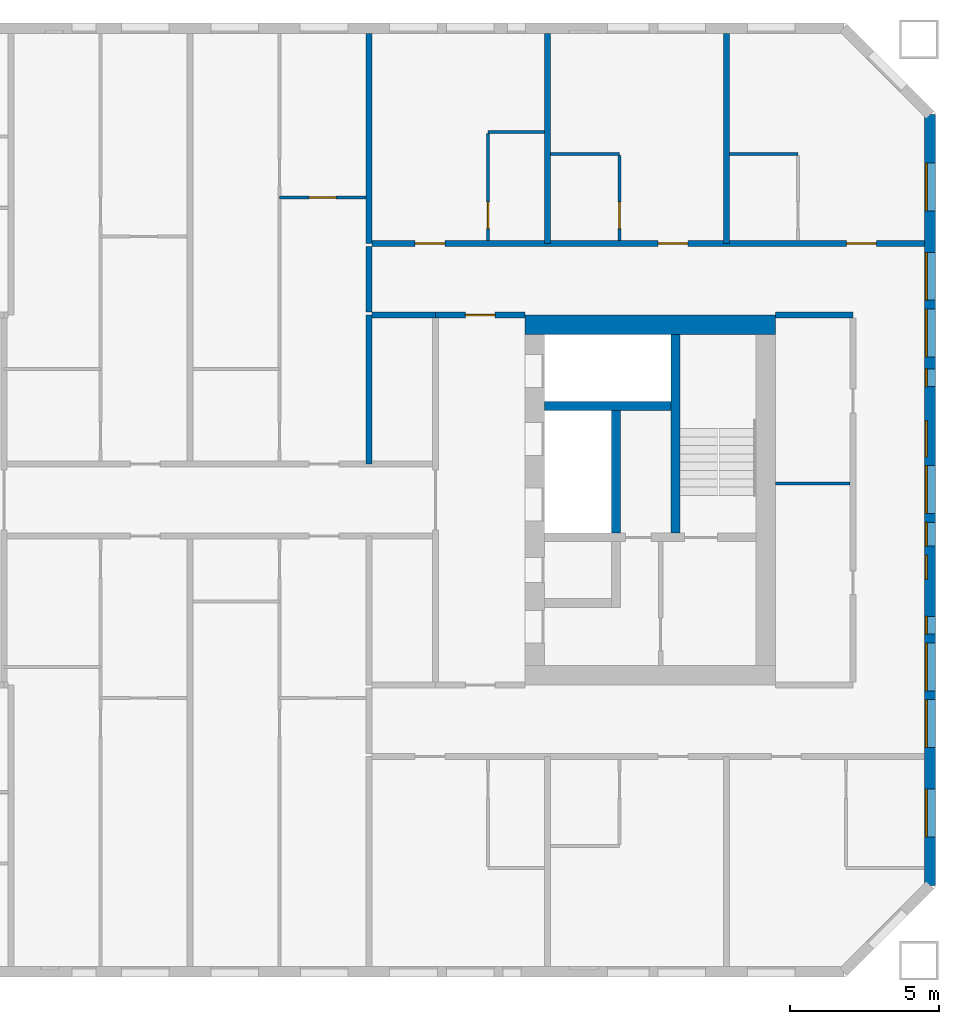
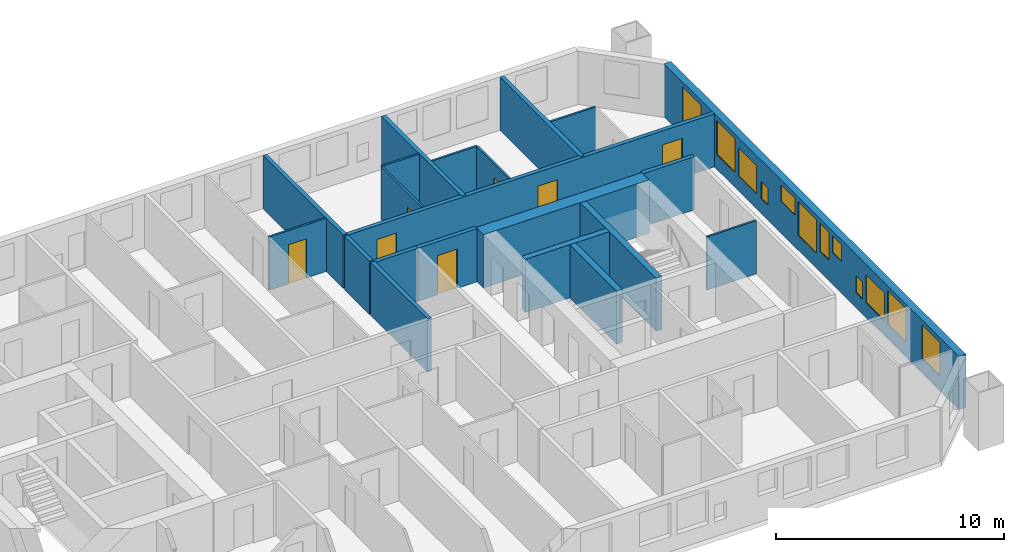
# One storey, part 14 of 17: 21 walls, 12 windows, 7 doors, 19 openings.
"""IFC4 building model written with IfcOpenShell, lengths in metres."""

from ifc_helpers import new_model, si_unit, direction, frame, frame_2d, origin, place, context, subcontext, project, spatial, rectangle, extrude, material, layer, layer_set, type_object, element, fill, save


model = new_model("IFC4")

# Units and contexts
model_context = context("Model", 3, precision=1e-05, world=origin(), true_north=direction((0.0, 1.0)))
body_context = subcontext(model_context, "Body", "Model", "MODEL_VIEW")
ifc_project = project(units=[si_unit("LENGTHUNIT", "METRE"), si_unit("AREAUNIT", "SQUARE_METRE"), si_unit("VOLUMEUNIT", "CUBIC_METRE"), si_unit("PLANEANGLEUNIT", "RADIAN"), si_unit("MASSUNIT", "GRAM", prefix="KILO")], contexts=[model_context])

# Site, building, storey
site_placement = place(None, origin())
site = spatial("IfcSite", under=ifc_project, at=site_placement, CompositionType="ELEMENT")
building_placement = place(site_placement, origin())
building = spatial("IfcBuilding", under=site, at=building_placement, Name="Tuart Gate Housing", CompositionType="ELEMENT")
storey_placement = place(building_placement, frame((0.0, 0.0, 105.699951171875)))
storey = spatial("IfcBuildingStorey", under=building, at=storey_placement, Name="L29", CompositionType="ELEMENT", Elevation=105.699951171875)

# Wall, openings, windows
ifc_material_1 = material(Name="Brick", Category="masonry")
ifc_layer_1 = layer(ifc_material_1, 0.360107421875)
ifc_layer_set_1 = layer_set([ifc_layer_1], Name="Brick pier and spandrel wall 360")
wall_type_1 = type_object("IfcWallType", Name="Brick pier and spandrel wall 360", PredefinedType="STANDARD", material=ifc_layer_set_1)
wall_1_placement = place(storey_placement, frame((173.820068359375, 57.07470703125, 0.0), z_axis=(0.0, 0.0, 1.0), x_axis=(0.0, 1.0, 0.0)))
wall_1 = element("IfcWall", 1, at=wall_1_placement, inside=storey, type_object=wall_type_1, Name="External wall B-E L29", PredefinedType="STANDARD", context=body_context, shape_type="SweptSolid", body=[
    extrude(rectangle(XDim=25.850830078125, YDim=0.360107421875, at=frame_2d((12.92529296875, 0.0))), origin(), (0.0, 0.0, 1.0), 2.85009765625),
])
opening_1_placement = place(wall_1_placement, frame((1.62548828125, 0.0, 0.800048828125)))
opening_1 = element("IfcOpeningElement", 2, at=opening_1_placement, cuts=wall_1, Name="Opening W1", PredefinedType="OPENING", context=body_context, shape_type="SweptSolid", body=[
    extrude(rectangle(XDim=1.60009765625, YDim=1.800048828125, at=frame_2d((0.800048828125, 0.89990234375))), frame((0.0, 0.18994140625, 0.0), z_axis=(0.0, -1.0, 0.0), x_axis=(1.0, 0.0, 0.0)), (0.0, 0.0, 1.0), 0.380126953125),
])
opening_2_placement = place(wall_1_placement, frame((4.62548828125, 0.0, 0.800048828125)))
opening_2 = element("IfcOpeningElement", 3, at=opening_2_placement, cuts=wall_1, Name="Opening W1", PredefinedType="OPENING", context=body_context, shape_type="SweptSolid", body=[
    extrude(rectangle(XDim=1.60009765625, YDim=1.800048828125, at=frame_2d((0.800048828125, 0.89990234375))), frame((0.0, 0.18994140625, 0.0), z_axis=(0.0, -1.0, 0.0), x_axis=(1.0, 0.0, 0.0)), (0.0, 0.0, 1.0), 0.380126953125),
])
opening_3_placement = place(wall_1_placement, frame((6.525390625, 0.0, 0.800048828125)))
opening_3 = element("IfcOpeningElement", 4, at=opening_3_placement, cuts=wall_1, Name="Opening W1F", PredefinedType="OPENING", context=body_context, shape_type="SweptSolid", body=[
    extrude(rectangle(XDim=1.60009765625, YDim=1.5, at=frame_2d((0.800048828125, 0.75))), frame((0.0, 0.18994140625, 0.0), z_axis=(0.0, -1.0, 0.0), x_axis=(1.0, 0.0, 0.0)), (0.0, 0.0, 1.0), 0.380126953125),
])
opening_4_placement = place(wall_1_placement, frame((8.42529296875, 0.0, 0.800048828125)))
opening_4 = element("IfcOpeningElement", 5, at=opening_4_placement, cuts=wall_1, Name="Opening W1W", PredefinedType="OPENING", context=body_context, shape_type="SweptSolid", body=[
    extrude(rectangle(XDim=0.60009765625, YDim=0.89990234375, at=frame_2d((0.300048828125, 0.449951171875))), frame((0.0, 0.18994140625, 0.0), z_axis=(0.0, -1.0, 0.0), x_axis=(1.0, 0.0, 0.0)), (0.0, 0.0, 1.0), 0.380126953125),
])
opening_5_placement = place(wall_1_placement, frame((10.275390625, 0.0, 1.699951171875)))
opening_5 = element("IfcOpeningElement", 6, at=opening_5_placement, cuts=wall_1, Name="Opening W1V", PredefinedType="OPENING", context=body_context, shape_type="SweptSolid", body=[
    extrude(rectangle(XDim=0.800048828125, YDim=0.89990234375, at=frame_2d((0.39990234375, 0.449951171875))), frame((0.0, 0.18994140625, 0.0), z_axis=(0.0, -1.0, 0.0), x_axis=(1.0, 0.0, 0.0)), (0.0, 0.0, 1.0), 0.380126953125),
])
opening_6_placement = place(wall_1_placement, frame((11.37548828125, 0.0, 1.10009765625)))
opening_6 = element("IfcOpeningElement", 7, at=opening_6_placement, cuts=wall_1, Name="Opening W1J", PredefinedType="OPENING", context=body_context, shape_type="SweptSolid", body=[
    extrude(rectangle(XDim=0.800048828125, YDim=1.5, at=frame_2d((0.39990234375, 0.75))), frame((0.0, 0.18994140625, 0.0), z_axis=(0.0, -1.0, 0.0), x_axis=(1.0, 0.0, 0.0)), (0.0, 0.0, 1.0), 0.380126953125),
])
opening_7_placement = place(wall_1_placement, frame((19.62548828125, 0.0, 0.800048828125)))
opening_7 = element("IfcOpeningElement", 8, at=opening_7_placement, cuts=wall_1, Name="Opening W1", PredefinedType="OPENING", context=body_context, shape_type="SweptSolid", body=[
    extrude(rectangle(XDim=1.60009765625, YDim=1.800048828125, at=frame_2d((0.800048828125, 0.89990234375))), frame((0.0, 0.18994140625, 0.0), z_axis=(0.0, -1.0, 0.0), x_axis=(1.0, 0.0, 0.0)), (0.0, 0.0, 1.0), 0.380126953125),
])
opening_8_placement = place(wall_1_placement, frame((22.62548828125, 0.0, 0.800048828125)))
opening_8 = element("IfcOpeningElement", 9, at=opening_8_placement, cuts=wall_1, Name="Opening W1", PredefinedType="OPENING", context=body_context, shape_type="SweptSolid", body=[
    extrude(rectangle(XDim=1.60009765625, YDim=1.800048828125, at=frame_2d((0.800048828125, 0.89990234375))), frame((0.0, 0.18994140625, 0.0), z_axis=(0.0, -1.0, 0.0), x_axis=(1.0, 0.0, 0.0)), (0.0, 0.0, 1.0), 0.380126953125),
])
opening_9_placement = place(wall_1_placement, frame((12.475341796875, 0.0, 0.800048828125)))
opening_9 = element("IfcOpeningElement", 10, at=opening_9_placement, cuts=wall_1, Name="Opening W1", PredefinedType="OPENING", context=body_context, shape_type="SweptSolid", body=[
    extrude(rectangle(XDim=1.60009765625, YDim=1.800048828125, at=frame_2d((0.800048828125, 0.89990234375))), frame((0.0, 0.18994140625, 0.0), z_axis=(0.0, -1.0, 0.0), x_axis=(1.0, 0.0, 0.0)), (0.0, 0.0, 1.0), 0.380126953125),
])
opening_10_placement = place(wall_1_placement, frame((14.37548828125, 0.0, 1.699951171875)))
opening_10 = element("IfcOpeningElement", 11, at=opening_10_placement, cuts=wall_1, Name="Opening W1T", PredefinedType="OPENING", context=body_context, shape_type="SweptSolid", body=[
    extrude(rectangle(XDim=1.199951171875, YDim=0.89990234375, at=frame_2d((0.60009765625, 0.449951171875))), frame((0.0, 0.18994140625, 0.0), z_axis=(0.0, -1.0, 0.0), x_axis=(1.0, 0.0, 0.0)), (0.0, 0.0, 1.0), 0.380126953125),
])
opening_11_placement = place(wall_1_placement, frame((16.725341796875, 0.0, 0.800048828125)))
opening_11 = element("IfcOpeningElement", 12, at=opening_11_placement, cuts=wall_1, Name="Opening W1W", PredefinedType="OPENING", context=body_context, shape_type="SweptSolid", body=[
    extrude(rectangle(XDim=0.60009765625, YDim=0.89990234375, at=frame_2d((0.300048828125, 0.449951171875))), frame((0.0, 0.18994140625, 0.0), z_axis=(0.0, -1.0, 0.0), x_axis=(1.0, 0.0, 0.0)), (0.0, 0.0, 1.0), 0.380126953125),
])
opening_12_placement = place(wall_1_placement, frame((17.725341796875, 0.0, 0.800048828125)))
opening_12 = element("IfcOpeningElement", 13, at=opening_12_placement, cuts=wall_1, Name="Opening W1F", PredefinedType="OPENING", context=body_context, shape_type="SweptSolid", body=[
    extrude(rectangle(XDim=1.60009765625, YDim=1.5, at=frame_2d((0.800048828125, 0.75))), frame((0.0, 0.18994140625, 0.0), z_axis=(0.0, -1.0, 0.0), x_axis=(1.0, 0.0, 0.0)), (0.0, 0.0, 1.0), 0.380126953125),
])
ifc_material_2 = material(Name="Aluminium frame with clear glass", Category="aluminium")
window_type_1 = type_object("IfcWindowType", Name="Punched window 1200 x 900", PartitioningType="SINGLE_PANEL", PredefinedType="WINDOW", material=ifc_material_2)
window_1_placement = place(opening_10_placement, origin())
window_1 = element("IfcWindow", 14, at=window_1_placement, inside=storey, type_object=window_type_1, Name="Window W1T", OverallHeight=0.89990234375, OverallWidth=1.199951171875, PartitioningType="SINGLE_PANEL", PredefinedType="WINDOW", context=body_context, shape_type="SweptSolid", body=[
    extrude(rectangle(XDim=1.199951171875, YDim=0.89990234375, at=frame_2d((0.60009765625, 0.449951171875))), frame((0.0, 0.150146484375, 0.0), z_axis=(0.0, -1.0, 0.0), x_axis=(1.0, 0.0, 0.0)), (0.0, 0.0, 1.0), 0.06005859375),
])
fill(opening_10, window_1)
ifc_material_3 = material(Name="Aluminium frame with clear glass", Category="aluminium")
window_type_2 = type_object("IfcWindowType", Name="Punched window 1600 x 1500", PartitioningType="SINGLE_PANEL", PredefinedType="WINDOW", material=ifc_material_3)
window_2_placement = place(opening_3_placement, origin())
window_2 = element("IfcWindow", 15, at=window_2_placement, inside=storey, type_object=window_type_2, Name="Window W1F", OverallHeight=1.5, OverallWidth=1.60009765625, PartitioningType="SINGLE_PANEL", PredefinedType="WINDOW", context=body_context, shape_type="SweptSolid", body=[
    extrude(rectangle(XDim=1.60009765625, YDim=1.5, at=frame_2d((0.800048828125, 0.75))), frame((0.0, 0.150146484375, 0.0), z_axis=(0.0, -1.0, 0.0), x_axis=(1.0, 0.0, 0.0)), (0.0, 0.0, 1.0), 0.06005859375),
])
fill(opening_3, window_2)
window_3_placement = place(opening_12_placement, origin())
window_3 = element("IfcWindow", 16, at=window_3_placement, inside=storey, type_object=window_type_2, Name="Window W1F", OverallHeight=1.5, OverallWidth=1.60009765625, PartitioningType="SINGLE_PANEL", PredefinedType="WINDOW", context=body_context, shape_type="SweptSolid", body=[
    extrude(rectangle(XDim=1.60009765625, YDim=1.5, at=frame_2d((0.800048828125, 0.75))), frame((0.0, 0.150146484375, 0.0), z_axis=(0.0, -1.0, 0.0), x_axis=(1.0, 0.0, 0.0)), (0.0, 0.0, 1.0), 0.06005859375),
])
fill(opening_12, window_3)
ifc_material_4 = material(Name="Aluminium frame with clear glass", Category="aluminium")
window_type_3 = type_object("IfcWindowType", Name="Punched window 1600 x 1800", PartitioningType="SINGLE_PANEL", PredefinedType="WINDOW", material=ifc_material_4)
window_4_placement = place(opening_1_placement, origin())
window_4 = element("IfcWindow", 17, at=window_4_placement, inside=storey, type_object=window_type_3, Name="Window W1", OverallHeight=1.800048828125, OverallWidth=1.60009765625, PartitioningType="SINGLE_PANEL", PredefinedType="WINDOW", context=body_context, shape_type="SweptSolid", body=[
    extrude(rectangle(XDim=1.60009765625, YDim=1.800048828125, at=frame_2d((0.800048828125, 0.89990234375))), frame((0.0, 0.150146484375, 0.0), z_axis=(0.0, -1.0, 0.0), x_axis=(1.0, 0.0, 0.0)), (0.0, 0.0, 1.0), 0.06005859375),
])
fill(opening_1, window_4)
window_5_placement = place(opening_2_placement, origin())
window_5 = element("IfcWindow", 18, at=window_5_placement, inside=storey, type_object=window_type_3, Name="Window W1", OverallHeight=1.800048828125, OverallWidth=1.60009765625, PartitioningType="SINGLE_PANEL", PredefinedType="WINDOW", context=body_context, shape_type="SweptSolid", body=[
    extrude(rectangle(XDim=1.60009765625, YDim=1.800048828125, at=frame_2d((0.800048828125, 0.89990234375))), frame((0.0, 0.150146484375, 0.0), z_axis=(0.0, -1.0, 0.0), x_axis=(1.0, 0.0, 0.0)), (0.0, 0.0, 1.0), 0.06005859375),
])
fill(opening_2, window_5)
window_6_placement = place(opening_7_placement, origin())
window_6 = element("IfcWindow", 19, at=window_6_placement, inside=storey, type_object=window_type_3, Name="Window W1", OverallHeight=1.800048828125, OverallWidth=1.60009765625, PartitioningType="SINGLE_PANEL", PredefinedType="WINDOW", context=body_context, shape_type="SweptSolid", body=[
    extrude(rectangle(XDim=1.60009765625, YDim=1.800048828125, at=frame_2d((0.800048828125, 0.89990234375))), frame((0.0, 0.150146484375, 0.0), z_axis=(0.0, -1.0, 0.0), x_axis=(1.0, 0.0, 0.0)), (0.0, 0.0, 1.0), 0.06005859375),
])
fill(opening_7, window_6)
window_7_placement = place(opening_8_placement, origin())
window_7 = element("IfcWindow", 20, at=window_7_placement, inside=storey, type_object=window_type_3, Name="Window W1", OverallHeight=1.800048828125, OverallWidth=1.60009765625, PartitioningType="SINGLE_PANEL", PredefinedType="WINDOW", context=body_context, shape_type="SweptSolid", body=[
    extrude(rectangle(XDim=1.60009765625, YDim=1.800048828125, at=frame_2d((0.800048828125, 0.89990234375))), frame((0.0, 0.150146484375, 0.0), z_axis=(0.0, -1.0, 0.0), x_axis=(1.0, 0.0, 0.0)), (0.0, 0.0, 1.0), 0.06005859375),
])
fill(opening_8, window_7)
window_8_placement = place(opening_9_placement, origin())
window_8 = element("IfcWindow", 21, at=window_8_placement, inside=storey, type_object=window_type_3, Name="Window W1", OverallHeight=1.800048828125, OverallWidth=1.60009765625, PartitioningType="SINGLE_PANEL", PredefinedType="WINDOW", context=body_context, shape_type="SweptSolid", body=[
    extrude(rectangle(XDim=1.60009765625, YDim=1.800048828125, at=frame_2d((0.800048828125, 0.89990234375))), frame((0.0, 0.150146484375, 0.0), z_axis=(0.0, -1.0, 0.0), x_axis=(1.0, 0.0, 0.0)), (0.0, 0.0, 1.0), 0.06005859375),
])
fill(opening_9, window_8)
ifc_material_5 = material(Name="Aluminium frame with clear glass", Category="aluminium")
window_type_4 = type_object("IfcWindowType", Name="Punched window 600 x 900", PartitioningType="SINGLE_PANEL", PredefinedType="WINDOW", material=ifc_material_5)
window_9_placement = place(opening_4_placement, origin())
window_9 = element("IfcWindow", 22, at=window_9_placement, inside=storey, type_object=window_type_4, Name="Window W1W", OverallHeight=0.89990234375, OverallWidth=0.60009765625, PartitioningType="SINGLE_PANEL", PredefinedType="WINDOW", context=body_context, shape_type="SweptSolid", body=[
    extrude(rectangle(XDim=0.60009765625, YDim=0.89990234375, at=frame_2d((0.300048828125, 0.449951171875))), frame((0.0, 0.150146484375, 0.0), z_axis=(0.0, -1.0, 0.0), x_axis=(1.0, 0.0, 0.0)), (0.0, 0.0, 1.0), 0.06005859375),
])
fill(opening_4, window_9)
window_10_placement = place(opening_11_placement, origin())
window_10 = element("IfcWindow", 23, at=window_10_placement, inside=storey, type_object=window_type_4, Name="Window W1W", OverallHeight=0.89990234375, OverallWidth=0.60009765625, PartitioningType="SINGLE_PANEL", PredefinedType="WINDOW", context=body_context, shape_type="SweptSolid", body=[
    extrude(rectangle(XDim=0.60009765625, YDim=0.89990234375, at=frame_2d((0.300048828125, 0.449951171875))), frame((0.0, 0.150146484375, 0.0), z_axis=(0.0, -1.0, 0.0), x_axis=(1.0, 0.0, 0.0)), (0.0, 0.0, 1.0), 0.06005859375),
])
fill(opening_11, window_10)
ifc_material_6 = material(Name="Aluminium frame with clear glass", Category="aluminium")
window_type_5 = type_object("IfcWindowType", Name="Punched window 800 x 1500", PartitioningType="SINGLE_PANEL", PredefinedType="WINDOW", material=ifc_material_6)
window_11_placement = place(opening_6_placement, origin())
window_11 = element("IfcWindow", 24, at=window_11_placement, inside=storey, type_object=window_type_5, Name="Window W1J", OverallHeight=1.5, OverallWidth=0.800048828125, PartitioningType="SINGLE_PANEL", PredefinedType="WINDOW", context=body_context, shape_type="SweptSolid", body=[
    extrude(rectangle(XDim=0.800048828125, YDim=1.5, at=frame_2d((0.39990234375, 0.75))), frame((0.0, 0.150146484375, 0.0), z_axis=(0.0, -1.0, 0.0), x_axis=(1.0, 0.0, 0.0)), (0.0, 0.0, 1.0), 0.06005859375),
])
fill(opening_6, window_11)
ifc_material_7 = material(Name="Aluminium frame with clear glass", Category="aluminium")
window_type_6 = type_object("IfcWindowType", Name="Punched window 800 x 900", PartitioningType="SINGLE_PANEL", PredefinedType="WINDOW", material=ifc_material_7)
window_12_placement = place(opening_5_placement, origin())
window_12 = element("IfcWindow", 25, at=window_12_placement, inside=storey, type_object=window_type_6, Name="Window W1V", OverallHeight=0.89990234375, OverallWidth=0.800048828125, PartitioningType="SINGLE_PANEL", PredefinedType="WINDOW", context=body_context, shape_type="SweptSolid", body=[
    extrude(rectangle(XDim=0.800048828125, YDim=0.89990234375, at=frame_2d((0.39990234375, 0.449951171875))), frame((0.0, 0.150146484375, 0.0), z_axis=(0.0, -1.0, 0.0), x_axis=(1.0, 0.0, 0.0)), (0.0, 0.0, 1.0), 0.06005859375),
])
fill(opening_5, window_12)

# Walls
ifc_material_8 = material(Name="Concrete C50", Category="concrete")
ifc_layer_2 = layer(ifc_material_8, 0.300048828125)
ifc_layer_set_2 = layer_set([ifc_layer_2], Name="Core wall 300 C50")
wall_type_2 = type_object("IfcWallType", Name="Core wall 300 C50", PredefinedType="SHEAR", material=ifc_layer_set_2)
wall_2_placement = place(storey_placement, frame((160.889892578125, 73.14990234375, 0.0), z_axis=(0.0, 0.0, 1.0), x_axis=(1.0, 0.0, 0.0)))
element("IfcWall", 26, at=wall_2_placement, inside=storey, type_object=wall_type_2, Name="Core wall BK.1", PredefinedType="SHEAR", context=body_context, shape_type="SweptSolid", body=[
    extrude(rectangle(XDim=4.25, YDim=0.300048828125, at=frame_2d((2.125, 0.0))), origin(), (0.0, 0.0, 1.0), 2.85009765625),
])
wall_3_placement = place(storey_placement, frame((163.2900390625, 73.0, 0.0), z_axis=(0.0, 0.0, 1.0), x_axis=(0.0, -1.0, 0.0)))
element("IfcWall", 27, at=wall_3_placement, inside=storey, type_object=wall_type_2, Name="Core wall BK.4", PredefinedType="SHEAR", context=body_context, shape_type="SweptSolid", body=[
    extrude(rectangle(XDim=4.10009765625, YDim=0.300048828125, at=frame_2d((2.050048828125, 0.0))), origin(), (0.0, 0.0, 1.0), 2.85009765625),
])
wall_4_placement = place(storey_placement, frame((165.2900390625, 75.550048828125, 0.0), z_axis=(0.0, 0.0, 1.0), x_axis=(0.0, -1.0, 0.0)))
element("IfcWall", 28, at=wall_4_placement, inside=storey, type_object=wall_type_2, Name="Core wall BK.7", PredefinedType="SHEAR", context=body_context, shape_type="SweptSolid", body=[
    extrude(rectangle(XDim=6.650146484375, YDim=0.300048828125, at=frame_2d((3.3251953125, 0.0))), origin(), (0.0, 0.0, 1.0), 2.85009765625),
])
ifc_material_9 = material(Name="Concrete C50", Category="concrete")
ifc_layer_3 = layer(ifc_material_9, 0.64990234375)
ifc_layer_set_3 = layer_set([ifc_layer_3], Name="Core wall 650 C50")
wall_type_3 = type_object("IfcWallType", Name="Core wall 650 C50", PredefinedType="SHEAR", material=ifc_layer_set_3)
wall_5_placement = place(storey_placement, frame((160.239990234375, 75.875, 0.0), z_axis=(0.0, 0.0, 1.0), x_axis=(1.0, 0.0, 0.0)))
element("IfcWall", 29, at=wall_5_placement, inside=storey, type_object=wall_type_3, Name="Core wall BK south", PredefinedType="SHEAR", context=body_context, shape_type="SweptSolid", body=[
    extrude(rectangle(XDim=8.39990234375, YDim=0.64990234375, at=frame_2d((4.199951171875, 0.0))), origin(), (0.0, 0.0, 1.0), 2.85009765625),
])
ifc_material_10 = material(Name="Concrete masonry 15 MPa", Category="masonry")
ifc_layer_4 = layer(ifc_material_10, 0.199951171875)
ifc_layer_set_4 = layer_set([ifc_layer_4], Name="Corridor wall masonry 200")
wall_type_4 = type_object("IfcWallType", Name="Corridor wall masonry 200", PredefinedType="PARTITIONING", material=ifc_layer_set_4)
wall_6_placement = place(storey_placement, frame((155.10009765625, 76.199951171875, 0.0), z_axis=(0.0, 0.0, 1.0), x_axis=(1.0, 0.0, 0.0)))
element("IfcWall", 30, at=wall_6_placement, inside=storey, type_object=wall_type_4, Name="Corridor wall masonry 200", PredefinedType="PARTITIONING", context=body_context, shape_type="SweptSolid", body=[
    extrude(rectangle(XDim=2.139892578125, YDim=0.199951171875, at=frame_2d((1.06982421875, 0.0))), origin(), (0.0, 0.0, 1.0), 2.85009765625),
])
wall_7_placement = place(storey_placement, frame((168.639892578125, 76.199951171875, 0.0), z_axis=(0.0, 0.0, 1.0), x_axis=(1.0, 0.0, 0.0)))
element("IfcWall", 31, at=wall_7_placement, inside=storey, type_object=wall_type_4, Name="Corridor wall masonry 200", PredefinedType="PARTITIONING", context=body_context, shape_type="SweptSolid", body=[
    extrude(rectangle(XDim=2.60009765625, YDim=0.199951171875, at=frame_2d((1.300048828125, 0.0))), origin(), (0.0, 0.0, 1.0), 2.85009765625),
])

# Wall, openings, doors
wall_8_placement = place(storey_placement, frame((155.10009765625, 78.60009765625, 0.0), z_axis=(0.0, 0.0, 1.0), x_axis=(1.0, 0.0, 0.0)))
wall_8 = element("IfcWall", 32, at=wall_8_placement, inside=storey, type_object=wall_type_4, Name="Corridor wall masonry 200", PredefinedType="PARTITIONING", context=body_context, shape_type="SweptSolid", body=[
    extrude(rectangle(XDim=18.539794921875, YDim=0.199951171875, at=frame_2d((9.27001953125, 0.0))), origin(), (0.0, 0.0, 1.0), 2.85009765625),
])
opening_13_placement = place(wall_8_placement, frame((1.449951171875, 0.0, 0.0)))
opening_13 = element("IfcOpeningElement", 33, at=opening_13_placement, cuts=wall_8, Name="Opening D1246", PredefinedType="OPENING", context=body_context, shape_type="SweptSolid", body=[
    extrude(rectangle(XDim=1.0, YDim=2.10009765625, at=frame_2d((0.5, 1.050048828125))), frame((0.0, 0.10986328125, 0.0), z_axis=(0.0, -1.0, 0.0), x_axis=(1.0, 0.0, 0.0)), (0.0, 0.0, 1.0), 0.219970703125),
])
opening_14_placement = place(wall_8_placement, frame((9.60009765625, 0.0, 0.0)))
opening_14 = element("IfcOpeningElement", 34, at=opening_14_placement, cuts=wall_8, Name="Opening D1247", PredefinedType="OPENING", context=body_context, shape_type="SweptSolid", body=[
    extrude(rectangle(XDim=1.0, YDim=2.10009765625, at=frame_2d((0.5, 1.050048828125))), frame((0.0, 0.10986328125, 0.0), z_axis=(0.0, -1.0, 0.0), x_axis=(1.0, 0.0, 0.0)), (0.0, 0.0, 1.0), 0.219970703125),
])
opening_15_placement = place(wall_8_placement, frame((15.919921875, 0.0, 0.0)))
opening_15 = element("IfcOpeningElement", 35, at=opening_15_placement, cuts=wall_8, Name="Opening D1248", PredefinedType="OPENING", context=body_context, shape_type="SweptSolid", body=[
    extrude(rectangle(XDim=1.0, YDim=2.10009765625, at=frame_2d((0.5, 1.050048828125))), frame((0.0, 0.10986328125, 0.0), z_axis=(0.0, -1.0, 0.0), x_axis=(1.0, 0.0, 0.0)), (0.0, 0.0, 1.0), 0.219970703125),
])
ifc_material_11 = material(Name="Timber door leaf in steel frame", Category="steel")
door_type_1 = type_object("IfcDoorType", Name="Flat entrance door 1000", OperationType="SINGLE_SWING_LEFT", PredefinedType="DOOR", material=ifc_material_11)
door_1_placement = place(opening_14_placement, origin())
door_1 = element("IfcDoor", 36, at=door_1_placement, inside=storey, type_object=door_type_1, Name="Flat entrance door", OperationType="SINGLE_SWING_LEFT", OverallHeight=2.10009765625, OverallWidth=1.0, PredefinedType="DOOR", context=body_context, shape_type="SweptSolid", body=[
    extrude(rectangle(XDim=1.0, YDim=2.10009765625, at=frame_2d((0.5, 1.050048828125))), frame((0.0, 0.02490234375, 0.0), z_axis=(0.0, -1.0, 0.0), x_axis=(1.0, 0.0, 0.0)), (0.0, 0.0, 1.0), 0.050048828125),
])
fill(opening_14, door_1)
door_2_placement = place(opening_15_placement, origin())
door_2 = element("IfcDoor", 37, at=door_2_placement, inside=storey, type_object=door_type_1, Name="Flat entrance door", OperationType="SINGLE_SWING_LEFT", OverallHeight=2.10009765625, OverallWidth=1.0, PredefinedType="DOOR", context=body_context, shape_type="SweptSolid", body=[
    extrude(rectangle(XDim=1.0, YDim=2.10009765625, at=frame_2d((0.5, 1.050048828125))), frame((0.0, 0.02490234375, 0.0), z_axis=(0.0, -1.0, 0.0), x_axis=(1.0, 0.0, 0.0)), (0.0, 0.0, 1.0), 0.050048828125),
])
fill(opening_15, door_2)
ifc_material_12 = material(Name="Timber door leaf in steel frame", Category="steel")
door_type_2 = type_object("IfcDoorType", Name="Flat entrance door 1000 RH", OperationType="SINGLE_SWING_RIGHT", PredefinedType="DOOR", material=ifc_material_12)
door_3_placement = place(opening_13_placement, origin())
door_3 = element("IfcDoor", 38, at=door_3_placement, inside=storey, type_object=door_type_2, Name="Flat entrance door", OperationType="SINGLE_SWING_RIGHT", OverallHeight=2.10009765625, OverallWidth=1.0, PredefinedType="DOOR", context=body_context, shape_type="SweptSolid", body=[
    extrude(rectangle(XDim=1.0, YDim=2.10009765625, at=frame_2d((0.5, 1.050048828125))), frame((0.0, 0.02490234375, 0.0), z_axis=(0.0, -1.0, 0.0), x_axis=(1.0, 0.0, 0.0)), (0.0, 0.0, 1.0), 0.050048828125),
])
fill(opening_13, door_3)

# Wall
wall_9_placement = place(storey_placement, frame((155.0, 76.300048828125, 0.0), z_axis=(0.0, 0.0, 1.0), x_axis=(0.0, 1.0, 0.0)))
element("IfcWall", 39, at=wall_9_placement, inside=storey, type_object=wall_type_4, Name="Corridor wall masonry 200", PredefinedType="PARTITIONING", context=body_context, shape_type="SweptSolid", body=[
    extrude(rectangle(XDim=2.199951171875, YDim=0.199951171875, at=frame_2d((1.10009765625, 0.0))), origin(), (0.0, 0.0, 1.0), 2.85009765625),
])

# Wall, opening, door
ifc_material_13 = material(Name="Concrete masonry 15 MPa", Category="masonry")
ifc_layer_5 = layer(ifc_material_13, 0.199951171875)
ifc_layer_set_5 = layer_set([ifc_layer_5], Name="Enclosure wall masonry 200")
wall_type_5 = type_object("IfcWallType", Name="Enclosure wall masonry 200", PredefinedType="PARTITIONING", material=ifc_layer_set_5)
wall_10_placement = place(storey_placement, frame((157.239990234375, 76.199951171875, 0.0), z_axis=(0.0, 0.0, 1.0), x_axis=(1.0, 0.0, 0.0)))
wall_10 = element("IfcWall", 40, at=wall_10_placement, inside=storey, type_object=wall_type_5, Name="Enclosure wall masonry 200", PredefinedType="PARTITIONING", context=body_context, shape_type="SweptSolid", body=[
    extrude(rectangle(XDim=3.0, YDim=0.199951171875, at=frame_2d((1.5, 0.0))), origin(), (0.0, 0.0, 1.0), 2.85009765625),
])
opening_16_placement = place(wall_10_placement, frame((1.0, 0.0, 0.0)))
opening_16 = element("IfcOpeningElement", 41, at=opening_16_placement, cuts=wall_10, Name="Opening D1254", PredefinedType="OPENING", context=body_context, shape_type="SweptSolid", body=[
    extrude(rectangle(XDim=1.0, YDim=2.10009765625, at=frame_2d((0.5, 1.050048828125))), frame((0.0, 0.10986328125, 0.0), z_axis=(0.0, -1.0, 0.0), x_axis=(1.0, 0.0, 0.0)), (0.0, 0.0, 1.0), 0.219970703125),
])
ifc_material_14 = material(Name="Timber door leaf in steel frame", Category="steel")
door_type_3 = type_object("IfcDoorType", Name="Fire door 1000", OperationType="SINGLE_SWING_LEFT", PredefinedType="DOOR", material=ifc_material_14)
door_4_placement = place(opening_16_placement, origin())
door_4 = element("IfcDoor", 42, at=door_4_placement, inside=storey, type_object=door_type_3, Name="Fire door", OperationType="SINGLE_SWING_LEFT", OverallHeight=2.10009765625, OverallWidth=1.0, PredefinedType="DOOR", context=body_context, shape_type="SweptSolid", body=[
    extrude(rectangle(XDim=1.0, YDim=2.10009765625, at=frame_2d((0.5, 1.050048828125))), frame((0.0, 0.02490234375, 0.0), z_axis=(0.0, -1.0, 0.0), x_axis=(1.0, 0.0, 0.0)), (0.0, 0.0, 1.0), 0.050048828125),
])
fill(opening_16, door_4)

# Wall
ifc_material_15 = material(Name="Gypsum board on steel studs", Category="steel")
ifc_layer_6 = layer(ifc_material_15, 0.10009765625)
ifc_layer_set_6 = layer_set([ifc_layer_6], Name="Partition 100")
wall_type_6 = type_object("IfcWallType", Name="Partition 100", PredefinedType="PARTITIONING", material=ifc_layer_set_6)
wall_11_placement = place(storey_placement, frame((168.639892578125, 70.550048828125, 0.0), z_axis=(0.0, 0.0, 1.0), x_axis=(1.0, 0.0, 0.0)))
element("IfcWall", 43, at=wall_11_placement, inside=storey, type_object=wall_type_6, Name="Partition 100", PredefinedType="PARTITIONING", context=body_context, shape_type="SweptSolid", body=[
    extrude(rectangle(XDim=2.5, YDim=0.10009765625, at=frame_2d((1.25, 0.0))), origin(), (0.0, 0.0, 1.0), 2.85009765625),
])

# Wall, opening, door
wall_12_placement = place(storey_placement, frame((152.0, 80.139892578125, 0.0), z_axis=(0.0, 0.0, 1.0), x_axis=(1.0, 0.0, 0.0)))
wall_12 = element("IfcWall", 44, at=wall_12_placement, inside=storey, type_object=wall_type_6, Name="Partition 100", PredefinedType="PARTITIONING", context=body_context, shape_type="SweptSolid", body=[
    extrude(rectangle(XDim=2.89990234375, YDim=0.10009765625, at=frame_2d((1.449951171875, 0.0))), origin(), (0.0, 0.0, 1.0), 2.85009765625),
])
opening_17_placement = place(wall_12_placement, frame((1.0, 0.0, 0.0)))
opening_17 = element("IfcOpeningElement", 45, at=opening_17_placement, cuts=wall_12, Name="Opening D1240", PredefinedType="OPENING", context=body_context, shape_type="SweptSolid", body=[
    extrude(rectangle(XDim=0.89990234375, YDim=2.10009765625, at=frame_2d((0.449951171875, 1.050048828125))), frame((0.0, 0.06005859375, 0.0), z_axis=(0.0, -1.0, 0.0), x_axis=(1.0, 0.0, 0.0)), (0.0, 0.0, 1.0), 0.1201171875),
])
ifc_material_16 = material(Name="Timber door leaf in steel frame", Category="steel")
door_type_4 = type_object("IfcDoorType", Name="Internal door 900 RH", OperationType="SINGLE_SWING_RIGHT", PredefinedType="DOOR", material=ifc_material_16)
door_5_placement = place(opening_17_placement, frame((0.89990234375, 0.0, 0.0), z_axis=(0.0, 0.0, 1.0), x_axis=(-1.0, 0.0, 0.0)))
door_5 = element("IfcDoor", 46, at=door_5_placement, inside=storey, type_object=door_type_4, Name="Internal door", OperationType="SINGLE_SWING_RIGHT", OverallHeight=2.10009765625, OverallWidth=0.89990234375, PredefinedType="DOOR", context=body_context, shape_type="SweptSolid", body=[
    extrude(rectangle(XDim=0.89990234375, YDim=2.10009765625, at=frame_2d((0.449951171875, 1.050048828125))), frame((0.0, 0.025146484375, 0.0), z_axis=(0.0, -1.0, 0.0), x_axis=(1.0, 0.0, 0.0)), (0.0, 0.0, 1.0), 0.050048828125),
])
fill(opening_17, door_5)

# Walls
for number, where, z_axis, x_axis, name in (
    (47, (161.10009765625, 81.60009765625, 0.0), (0.0, 0.0, 1.0), (1.0, 0.0, 0.0), "Partition 100"),
    (48, (167.10009765625, 81.60009765625, 0.0), (0.0, 0.0, 1.0), (1.0, 0.0, 0.0), "Partition 100"),
):
    element("IfcWall", number, at=place(storey_placement, frame(where, z_axis=z_axis, x_axis=x_axis)), inside=storey, type_object=wall_type_6, Name=name, PredefinedType="PARTITIONING", context=body_context, shape_type="SweptSolid", body=[
        extrude(rectangle(XDim=2.2998046875, YDim=0.10009765625, at=frame_2d((1.14990234375, 0.0))), origin(), (0.0, 0.0, 1.0), 2.85009765625),
    ])
wall_13_placement = place(storey_placement, frame((159.0, 82.35009765625, 0.0), z_axis=(0.0, 0.0, 1.0), x_axis=(1.0, 0.0, 0.0)))
element("IfcWall", 49, at=wall_13_placement, inside=storey, type_object=wall_type_6, Name="Partition 100", PredefinedType="PARTITIONING", context=body_context, shape_type="SweptSolid", body=[
    extrude(rectangle(XDim=1.89990234375, YDim=0.10009765625, at=frame_2d((0.949951171875, 0.0))), origin(), (0.0, 0.0, 1.0), 2.85009765625),
])

# Wall, opening, door
wall_14_placement = place(storey_placement, frame((159.0, 78.699951171875, 0.0), z_axis=(0.0, 0.0, 1.0), x_axis=(0.0, 1.0, 0.0)))
wall_14 = element("IfcWall", 50, at=wall_14_placement, inside=storey, type_object=wall_type_6, Name="Partition 100", PredefinedType="PARTITIONING", context=body_context, shape_type="SweptSolid", body=[
    extrude(rectangle(XDim=3.60009765625, YDim=0.10009765625, at=frame_2d((1.800048828125, 0.0))), origin(), (0.0, 0.0, 1.0), 2.85009765625),
])
opening_18_placement = place(wall_14_placement, frame((0.39990234375, 0.0, 0.0)))
opening_18 = element("IfcOpeningElement", 51, at=opening_18_placement, cuts=wall_14, Name="Opening D1239", PredefinedType="OPENING", context=body_context, shape_type="SweptSolid", body=[
    extrude(rectangle(XDim=0.89990234375, YDim=2.10009765625, at=frame_2d((0.449951171875, 1.050048828125))), frame((0.0, 0.06005859375, 0.0), z_axis=(0.0, -1.0, 0.0), x_axis=(1.0, 0.0, 0.0)), (0.0, 0.0, 1.0), 0.1201171875),
])
ifc_material_17 = material(Name="Timber door leaf in steel frame", Category="steel")
door_type_5 = type_object("IfcDoorType", Name="Bathroom door 900 RH", OperationType="SINGLE_SWING_RIGHT", PredefinedType="DOOR", material=ifc_material_17)
door_6_placement = place(opening_18_placement, frame((0.89990234375, 0.0, 0.0), z_axis=(0.0, 0.0, 1.0), x_axis=(-1.0, 0.0, 0.0)))
door_6 = element("IfcDoor", 52, at=door_6_placement, inside=storey, type_object=door_type_5, Name="Bathroom door", OperationType="SINGLE_SWING_RIGHT", OverallHeight=2.10009765625, OverallWidth=0.89990234375, PredefinedType="DOOR", context=body_context, shape_type="SweptSolid", body=[
    extrude(rectangle(XDim=0.89990234375, YDim=2.10009765625, at=frame_2d((0.449951171875, 1.050048828125))), frame((0.0, 0.025146484375, 0.0), z_axis=(0.0, -1.0, 0.0), x_axis=(1.0, 0.0, 0.0)), (0.0, 0.0, 1.0), 0.050048828125),
])
fill(opening_18, door_6)

wall_15_placement = place(storey_placement, frame((163.39990234375, 78.699951171875, 0.0), z_axis=(0.0, 0.0, 1.0), x_axis=(0.0, 1.0, 0.0)))
wall_15 = element("IfcWall", 53, at=wall_15_placement, inside=storey, type_object=wall_type_6, Name="Partition 100", PredefinedType="PARTITIONING", context=body_context, shape_type="SweptSolid", body=[
    extrude(rectangle(XDim=2.85009765625, YDim=0.10009765625, at=frame_2d((1.425048828125, 0.0))), origin(), (0.0, 0.0, 1.0), 2.85009765625),
])
opening_19_placement = place(wall_15_placement, frame((0.39990234375, 0.0, 0.0)))
opening_19 = element("IfcOpeningElement", 54, at=opening_19_placement, cuts=wall_15, Name="Opening D1241", PredefinedType="OPENING", context=body_context, shape_type="SweptSolid", body=[
    extrude(rectangle(XDim=0.89990234375, YDim=2.10009765625, at=frame_2d((0.449951171875, 1.050048828125))), frame((0.0, 0.06005859375, 0.0), z_axis=(0.0, -1.0, 0.0), x_axis=(1.0, 0.0, 0.0)), (0.0, 0.0, 1.0), 0.1201171875),
])
ifc_material_18 = material(Name="Timber door leaf in steel frame", Category="steel")
door_type_6 = type_object("IfcDoorType", Name="Bathroom door 900", OperationType="SINGLE_SWING_LEFT", PredefinedType="DOOR", material=ifc_material_18)
door_7_placement = place(opening_19_placement, origin())
door_7 = element("IfcDoor", 55, at=door_7_placement, inside=storey, type_object=door_type_6, Name="Bathroom door", OperationType="SINGLE_SWING_LEFT", OverallHeight=2.10009765625, OverallWidth=0.89990234375, PredefinedType="DOOR", context=body_context, shape_type="SweptSolid", body=[
    extrude(rectangle(XDim=0.89990234375, YDim=2.10009765625, at=frame_2d((0.449951171875, 1.050048828125))), frame((0.0, 0.02490234375, 0.0), z_axis=(0.0, -1.0, 0.0), x_axis=(1.0, 0.0, 0.0)), (0.0, 0.0, 1.0), 0.050048828125),
])
fill(opening_19, door_7)

# Walls
ifc_material_19 = material(Name="Concrete C40", Category="concrete")
ifc_layer_7 = layer(ifc_material_19, 0.199951171875)
ifc_layer_set_7 = layer_set([ifc_layer_7], Name="Party wall concrete C40 200")
wall_type_7 = type_object("IfcWallType", Name="Party wall concrete C40 200", PredefinedType="SOLIDWALL", material=ifc_layer_set_7)
wall_16_placement = place(storey_placement, frame((155.0, 71.199951171875, 0.0), z_axis=(0.0, 0.0, 1.0), x_axis=(0.0, 1.0, 0.0)))
element("IfcWall", 56, at=wall_16_placement, inside=storey, type_object=wall_type_7, Name="Party wall concrete C40 200", PredefinedType="SOLIDWALL", context=body_context, shape_type="SweptSolid", body=[
    extrude(rectangle(XDim=5.0, YDim=0.199951171875, at=frame_2d((2.5, 0.0))), origin(), (0.0, 0.0, 1.0), 2.85009765625),
])
for number, where, z_axis, x_axis, name in (
    (57, (155.0, 78.60009765625, 0.0), (0.0, 0.0, 1.0), (0.0, 1.0, 0.0), "Party wall concrete C40 200"),
    (58, (161.0, 78.60009765625, 0.0), (0.0, 0.0, 1.0), (0.0, 1.0, 0.0), "Party wall concrete C40 200"),
    (59, (167.0, 78.60009765625, 0.0), (0.0, 0.0, 1.0), (0.0, 1.0, 0.0), "Party wall concrete C40 200"),
):
    element("IfcWall", number, at=place(storey_placement, frame(where, z_axis=z_axis, x_axis=x_axis)), inside=storey, type_object=wall_type_7, Name=name, PredefinedType="SOLIDWALL", context=body_context, shape_type="SweptSolid", body=[
        extrude(rectangle(XDim=7.039794921875, YDim=0.199951171875, at=frame_2d((3.52001953125, 0.0))), origin(), (0.0, 0.0, 1.0), 2.85009765625),
    ])

save(model, "model.ifc")
